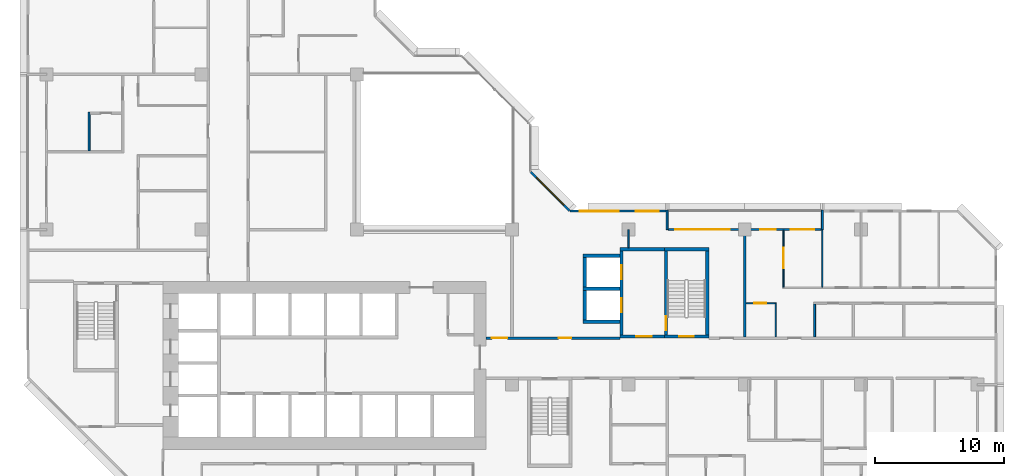
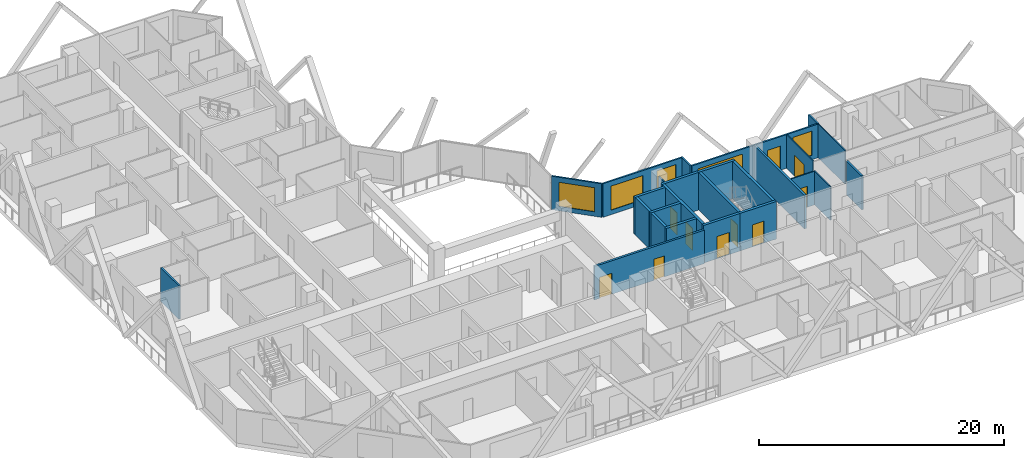
# One storey, part 7 of 14: 26 walls, 10 doors, 5 windows, 15 openings.
"""IFC4 building model written with IfcOpenShell, lengths in metres."""

from ifc_helpers import new_model, si_unit, direction, frame, frame_2d, origin, place, context, subcontext, project, spatial, rectangle, extrude, material, layer, layer_set, type_object, element, fill, save


model = new_model("IFC4")

# Units and contexts
model_context = context("Model", 3, precision=1e-05, world=origin(), true_north=direction((0.0, 1.0)))
body_context = subcontext(model_context, "Body", "Model", "MODEL_VIEW")
ifc_project = project(units=[si_unit("LENGTHUNIT", "METRE"), si_unit("AREAUNIT", "SQUARE_METRE"), si_unit("VOLUMEUNIT", "CUBIC_METRE"), si_unit("PLANEANGLEUNIT", "RADIAN"), si_unit("MASSUNIT", "GRAM", prefix="KILO")], contexts=[model_context])

# Site, building, storey
site_placement = place(None, origin())
site = spatial("IfcSite", under=ifc_project, at=site_placement, CompositionType="ELEMENT")
building_placement = place(site_placement, origin())
building = spatial("IfcBuilding", under=site, at=building_placement, Name="Chenar Terraces", CompositionType="ELEMENT")
storey_placement = place(building_placement, frame((0.0, 0.0, 91.89990234375)))
storey = spatial("IfcBuildingStorey", under=building, at=storey_placement, Name="L20", CompositionType="ELEMENT", Elevation=91.89990234375)

# Wall, opening, door
ifc_material_1 = material(Name="Concrete C70/85", Category="concrete")
ifc_layer_1 = layer(ifc_material_1, 0.25)
ifc_layer_set_1 = layer_set([ifc_layer_1], Name="Concrete C70/85")
wall_type_1 = type_object("IfcWallType", Name="Core wall 250 Concrete C70/85", PredefinedType="SHEAR", material=ifc_layer_set_1)
wall_1_placement = place(storey_placement, frame((47.77490234375, 15.72509765625, 0.0), z_axis=(0.0, 0.0, 1.0), x_axis=(1.0, 0.0, 0.0)))
wall_1 = element("IfcWall", 1, at=wall_1_placement, inside=storey, type_object=wall_type_1, Name="Core wall ST3_S L20", PredefinedType="SHEAR", context=body_context, shape_type="SweptSolid", body=[
    extrude(rectangle(XDim=3.4501953125, YDim=0.25, at=frame_2d((1.72509765625, 0.0))), origin(), (0.0, 0.0, 1.0), 3.75),
])
opening_1_placement = place(wall_1_placement, frame((1.175048828125, 0.0, 0.0)))
opening_1 = element("IfcOpeningElement", 2, at=opening_1_placement, cuts=wall_1, Name="Opening DL20-C8", PredefinedType="OPENING", context=body_context, shape_type="SweptSolid", body=[
    extrude(rectangle(XDim=1.10009765625, YDim=2.199951171875, at=frame_2d((0.550048828125, 1.10009765625))), frame((0.0, 0.135009765625, 0.0), z_axis=(0.0, -1.0, 0.0), x_axis=(1.0, 0.0, 0.0)), (0.0, 0.0, 1.0), 0.27001953125),
])
ifc_material_2 = material(Name="Steel-framed fire-resisting door leaf", Category="steel")
door_type_1 = type_object("IfcDoorType", Name="Stair fire door FD60 1100 x 2200", OperationType="SINGLE_SWING_LEFT", PredefinedType="DOOR", material=ifc_material_2)
door_1_placement = place(opening_1_placement, frame((1.10009765625, 0.0, 0.0), z_axis=(0.0, 0.0, 1.0), x_axis=(-1.0, 0.0, 0.0)))
door_1 = element("IfcDoor", 3, at=door_1_placement, inside=storey, type_object=door_type_1, Name="Stair door DL20-C8", OperationType="SINGLE_SWING_LEFT", OverallHeight=2.199951171875, OverallWidth=1.10009765625, PredefinedType="DOOR", context=body_context, shape_type="SweptSolid", body=[
    extrude(rectangle(XDim=1.10009765625, YDim=2.199951171875, at=frame_2d((0.550048828125, 1.10009765625))), frame((0.0, 0.02490234375, 0.0), z_axis=(0.0, -1.0, 0.0), x_axis=(1.0, 0.0, 0.0)), (0.0, 0.0, 1.0), 0.050048828125),
])
fill(opening_1, door_1)

# Wall
wall_2_placement = place(storey_placement, frame((47.77490234375, 22.47509765625, 0.0), z_axis=(0.0, 0.0, 1.0), x_axis=(1.0, 0.0, 0.0)))
element("IfcWall", 4, at=wall_2_placement, inside=storey, type_object=wall_type_1, Name="Core wall ST3_N L20", PredefinedType="SHEAR", context=body_context, shape_type="SweptSolid", body=[
    extrude(rectangle(XDim=3.4501953125, YDim=0.25, at=frame_2d((1.72509765625, 0.0))), origin(), (0.0, 0.0, 1.0), 3.75),
])

# Wall, opening, door
wall_3_placement = place(storey_placement, frame((47.89990234375, 15.85009765625, 0.0), z_axis=(0.0, 0.0, 1.0), x_axis=(0.0, 1.0, 0.0)))
wall_3 = element("IfcWall", 5, at=wall_3_placement, inside=storey, type_object=wall_type_1, Name="Core wall ST3_W L20", PredefinedType="SHEAR", context=body_context, shape_type="SweptSolid", body=[
    extrude(rectangle(XDim=6.5, YDim=0.25, at=frame_2d((3.25, 0.0))), origin(), (0.0, 0.0, 1.0), 3.75),
])
opening_2_placement = place(wall_3_placement, frame((0.35009765625, 0.0, 0.0)))
opening_2 = element("IfcOpeningElement", 6, at=opening_2_placement, cuts=wall_3, Name="Opening DL20-C11", PredefinedType="OPENING", context=body_context, shape_type="SweptSolid", body=[
    extrude(rectangle(XDim=1.10009765625, YDim=2.199951171875, at=frame_2d((0.550048828125, 1.10009765625))), frame((0.0, 0.135009765625, 0.0), z_axis=(0.0, -1.0, 0.0), x_axis=(1.0, 0.0, 0.0)), (0.0, 0.0, 1.0), 0.27001953125),
])
door_2_placement = place(opening_2_placement, frame((1.10009765625, 0.0, 0.0), z_axis=(0.0, 0.0, 1.0), x_axis=(-1.0, 0.0, 0.0)))
door_2 = element("IfcDoor", 7, at=door_2_placement, inside=storey, type_object=door_type_1, Name="Stair door DL20-C11", OperationType="SINGLE_SWING_RIGHT", OverallHeight=2.199951171875, OverallWidth=1.10009765625, PredefinedType="DOOR", context=body_context, shape_type="SweptSolid", body=[
    extrude(rectangle(XDim=1.10009765625, YDim=2.199951171875, at=frame_2d((0.550048828125, 1.10009765625))), frame((0.0, 0.02490234375, 0.0), z_axis=(0.0, -1.0, 0.0), x_axis=(1.0, 0.0, 0.0)), (0.0, 0.0, 1.0), 0.050048828125),
])
fill(opening_2, door_2)

# Wall
wall_4_placement = place(storey_placement, frame((51.10009765625, 15.85009765625, 0.0), z_axis=(0.0, 0.0, 1.0), x_axis=(0.0, 1.0, 0.0)))
element("IfcWall", 8, at=wall_4_placement, inside=storey, type_object=wall_type_1, Name="Core wall ST3_E L20", PredefinedType="SHEAR", context=body_context, shape_type="SweptSolid", body=[
    extrude(rectangle(XDim=6.5, YDim=0.25, at=frame_2d((3.25, 0.0))), origin(), (0.0, 0.0, 1.0), 3.75),
])

# Wall, opening, door
wall_5_placement = place(storey_placement, frame((44.35009765625, 15.72509765625, 0.0), z_axis=(0.0, 0.0, 1.0), x_axis=(1.0, 0.0, 0.0)))
wall_5 = element("IfcWall", 9, at=wall_5_placement, inside=storey, type_object=wall_type_1, Name="Core wall F3_LS L20", PredefinedType="SHEAR", context=body_context, shape_type="SweptSolid", body=[
    extrude(rectangle(XDim=3.4248046875, YDim=0.25, at=frame_2d((1.71240234375, 0.0))), origin(), (0.0, 0.0, 1.0), 3.75),
])
opening_3_placement = place(wall_5_placement, frame((1.25, 0.0, 0.0)))
opening_3 = element("IfcOpeningElement", 10, at=opening_3_placement, cuts=wall_5, Name="Opening DL20-C10", PredefinedType="OPENING", context=body_context, shape_type="SweptSolid", body=[
    extrude(rectangle(XDim=1.199951171875, YDim=2.199951171875, at=frame_2d((0.60009765625, 1.10009765625))), frame((0.0, 0.135009765625, 0.0), z_axis=(0.0, -1.0, 0.0), x_axis=(1.0, 0.0, 0.0)), (0.0, 0.0, 1.0), 0.27001953125),
])
ifc_material_3 = material(Name="Steel-framed fire-resisting door leaf", Category="steel")
door_type_2 = type_object("IfcDoorType", Name="Lobby fire door FD60 1200 x 2200", OperationType="SINGLE_SWING_LEFT", PredefinedType="DOOR", material=ifc_material_3)
door_3_placement = place(opening_3_placement, origin())
door_3 = element("IfcDoor", 11, at=door_3_placement, inside=storey, type_object=door_type_2, Name="Core door DL20-C10", OperationType="SINGLE_SWING_RIGHT", OverallHeight=2.199951171875, OverallWidth=1.199951171875, PredefinedType="DOOR", context=body_context, shape_type="SweptSolid", body=[
    extrude(rectangle(XDim=1.199951171875, YDim=2.199951171875, at=frame_2d((0.60009765625, 1.10009765625))), frame((0.0, 0.02490234375, 0.0), z_axis=(0.0, -1.0, 0.0), x_axis=(1.0, 0.0, 0.0)), (0.0, 0.0, 1.0), 0.050048828125),
])
fill(opening_3, door_3)

# Wall
wall_6_placement = place(storey_placement, frame((44.35009765625, 22.47509765625, 0.0), z_axis=(0.0, 0.0, 1.0), x_axis=(1.0, 0.0, 0.0)))
element("IfcWall", 12, at=wall_6_placement, inside=storey, type_object=wall_type_1, Name="Core wall F3_LN L20", PredefinedType="SHEAR", context=body_context, shape_type="SweptSolid", body=[
    extrude(rectangle(XDim=3.4248046875, YDim=0.25, at=frame_2d((1.71240234375, 0.0))), origin(), (0.0, 0.0, 1.0), 3.75),
])

# Wall, openings, doors
wall_7_placement = place(storey_placement, frame((44.47509765625, 15.85009765625, 0.0), z_axis=(0.0, 0.0, 1.0), x_axis=(0.0, 1.0, 0.0)))
wall_7 = element("IfcWall", 13, at=wall_7_placement, inside=storey, type_object=wall_type_1, Name="Core wall F3_LW L20", PredefinedType="SHEAR", context=body_context, shape_type="SweptSolid", body=[
    extrude(rectangle(XDim=6.5, YDim=0.25, at=frame_2d((3.25, 0.0))), origin(), (0.0, 0.0, 1.0), 3.75),
])
opening_4_placement = place(wall_7_placement, frame((1.75, 0.0, 0.0)))
opening_4 = element("IfcOpeningElement", 14, at=opening_4_placement, cuts=wall_7, Name="Opening DL20-LD8", PredefinedType="OPENING", context=body_context, shape_type="SweptSolid", body=[
    extrude(rectangle(XDim=1.10009765625, YDim=2.199951171875, at=frame_2d((0.550048828125, 1.10009765625))), frame((0.0, 0.135009765625, 0.0), z_axis=(0.0, -1.0, 0.0), x_axis=(1.0, 0.0, 0.0)), (0.0, 0.0, 1.0), 0.27001953125),
])
opening_5_placement = place(wall_7_placement, frame((4.300048828125, 0.0, 0.0)))
opening_5 = element("IfcOpeningElement", 15, at=opening_5_placement, cuts=wall_7, Name="Opening DL20-LD9", PredefinedType="OPENING", context=body_context, shape_type="SweptSolid", body=[
    extrude(rectangle(XDim=1.10009765625, YDim=2.199951171875, at=frame_2d((0.550048828125, 1.10009765625))), frame((0.0, 0.135009765625, 0.0), z_axis=(0.0, -1.0, 0.0), x_axis=(1.0, 0.0, 0.0)), (0.0, 0.0, 1.0), 0.27001953125),
])
ifc_material_4 = material(Name="Stainless steel", Category="steel")
door_type_3 = type_object("IfcDoorType", Name="Lift landing door 1100 x 2200 sliding", OperationType="DOUBLE_DOOR_SLIDING", PredefinedType="DOOR", material=ifc_material_4)
door_4_placement = place(opening_4_placement, origin())
door_4 = element("IfcDoor", 16, at=door_4_placement, inside=storey, type_object=door_type_3, Name="Landing door F3", OperationType="DOUBLE_DOOR_SLIDING", OverallHeight=2.199951171875, OverallWidth=1.10009765625, PredefinedType="DOOR", context=body_context, shape_type="SweptSolid", body=[
    extrude(rectangle(XDim=1.10009765625, YDim=2.199951171875, at=frame_2d((0.550048828125, 1.10009765625))), frame((0.0, 0.02490234375, 0.0), z_axis=(0.0, -1.0, 0.0), x_axis=(1.0, 0.0, 0.0)), (0.0, 0.0, 1.0), 0.050048828125),
])
fill(opening_4, door_4)
door_5_placement = place(opening_5_placement, origin())
door_5 = element("IfcDoor", 17, at=door_5_placement, inside=storey, type_object=door_type_3, Name="Landing door F4", OperationType="DOUBLE_DOOR_SLIDING", OverallHeight=2.199951171875, OverallWidth=1.10009765625, PredefinedType="DOOR", context=body_context, shape_type="SweptSolid", body=[
    extrude(rectangle(XDim=1.10009765625, YDim=2.199951171875, at=frame_2d((0.550048828125, 1.10009765625))), frame((0.0, 0.02490234375, 0.0), z_axis=(0.0, -1.0, 0.0), x_axis=(1.0, 0.0, 0.0)), (0.0, 0.0, 1.0), 0.050048828125),
])
fill(opening_5, door_5)

# Walls
for number, where, z_axis, x_axis, name in (
    (18, (41.5, 16.875, 0.0), (0.0, 0.0, 1.0), (1.0, 0.0, 0.0), "Core wall F3_SS L20"),
    (19, (41.5, 19.425048828125, 0.0), (0.0, 0.0, 1.0), (1.0, 0.0, 0.0), "Core wall F3_SM L20"),
    (20, (41.5, 21.97509765625, 0.0), (0.0, 0.0, 1.0), (1.0, 0.0, 0.0), "Core wall F4_SN L20"),
):
    element("IfcWall", number, at=place(storey_placement, frame(where, z_axis=z_axis, x_axis=x_axis)), inside=storey, type_object=wall_type_1, Name=name, PredefinedType="SHEAR", context=body_context, shape_type="SweptSolid", body=[
        extrude(rectangle(XDim=2.85009765625, YDim=0.25, at=frame_2d((1.425048828125, 0.0))), origin(), (0.0, 0.0, 1.0), 3.75),
    ])
for number, where, z_axis, x_axis, name in (
    (21, (41.625, 17.0, 0.0), (0.0, 0.0, 1.0), (0.0, 1.0, 0.0), "Core wall F3_SW L20"),
    (22, (41.625, 19.550048828125, 0.0), (0.0, 0.0, 1.0), (0.0, 1.0, 0.0), "Core wall F4_SW L20"),
):
    element("IfcWall", number, at=place(storey_placement, frame(where, z_axis=z_axis, x_axis=x_axis)), inside=storey, type_object=wall_type_1, Name=name, PredefinedType="SHEAR", context=body_context, shape_type="SweptSolid", body=[
        extrude(rectangle(XDim=2.300048828125, YDim=0.25, at=frame_2d((1.14990234375, 0.0))), origin(), (0.0, 0.0, 1.0), 3.75),
    ])

# Wall, openings, doors
ifc_material_5 = material(Name="Gypsum board on steel studs with fire boards", Category="steel")
ifc_layer_2 = layer(ifc_material_5, 0.199951171875)
ifc_layer_set_2 = layer_set([ifc_layer_2], Name="Gypsum board on steel studs with fire boards")
wall_type_2 = type_object("IfcWallType", Name="Corridor wall 200", PredefinedType="PARTITIONING", material=ifc_layer_set_2)
wall_8_placement = place(storey_placement, frame((34.0, 15.60009765625, 0.0), z_axis=(0.0, 0.0, 1.0), x_axis=(1.0, 0.0, 0.0)))
wall_8 = element("IfcWall", 23, at=wall_8_placement, inside=storey, type_object=wall_type_2, Name="Partition L20-068", PredefinedType="PARTITIONING", context=body_context, shape_type="SweptSolid", body=[
    extrude(rectangle(XDim=10.35009765625, YDim=0.199951171875, at=frame_2d((5.175048828125, 0.0))), origin(), (0.0, 0.0, 1.0), 3.35009765625),
])
opening_6_placement = place(wall_8_placement, frame((5.60009765625, 0.0, 0.0)))
opening_6 = element("IfcOpeningElement", 24, at=opening_6_placement, cuts=wall_8, Name="Opening DL20-3", PredefinedType="OPENING", context=body_context, shape_type="SweptSolid", body=[
    extrude(rectangle(XDim=1.0, YDim=2.10009765625, at=frame_2d((0.5, 1.050048828125))), frame((0.0, 0.10986328125, 0.0), z_axis=(0.0, -1.0, 0.0), x_axis=(1.0, 0.0, 0.0)), (0.0, 0.0, 1.0), 0.219970703125),
])
opening_7_placement = place(wall_8_placement, frame((0.449951171875, 0.0, 0.0)))
opening_7 = element("IfcOpeningElement", 25, at=opening_7_placement, cuts=wall_8, Name="Opening DL20-49", PredefinedType="OPENING", context=body_context, shape_type="SweptSolid", body=[
    extrude(rectangle(XDim=1.199951171875, YDim=2.10009765625, at=frame_2d((0.60009765625, 1.050048828125))), frame((0.0, 0.10986328125, 0.0), z_axis=(0.0, -1.0, 0.0), x_axis=(1.0, 0.0, 0.0)), (0.0, 0.0, 1.0), 0.219970703125),
])
ifc_material_6 = material(Name="Steel-framed fire-resisting door leaf", Category="steel")
door_type_4 = type_object("IfcDoorType", Name="Fire door FD60 1000 x 2100", OperationType="SINGLE_SWING_LEFT", PredefinedType="DOOR", material=ifc_material_6)
door_6_placement = place(opening_6_placement, origin())
door_6 = element("IfcDoor", 26, at=door_6_placement, inside=storey, type_object=door_type_4, Name="Door DL20-3", OperationType="SINGLE_SWING_RIGHT", OverallHeight=2.10009765625, OverallWidth=1.0, PredefinedType="DOOR", context=body_context, shape_type="SweptSolid", body=[
    extrude(rectangle(XDim=1.0, YDim=2.10009765625, at=frame_2d((0.5, 1.050048828125))), frame((0.0, 0.02490234375, 0.0), z_axis=(0.0, -1.0, 0.0), x_axis=(1.0, 0.0, 0.0)), (0.0, 0.0, 1.0), 0.050048828125),
])
fill(opening_6, door_6)
ifc_material_7 = material(Name="Steel-framed fire-resisting door leaf", Category="steel")
door_type_5 = type_object("IfcDoorType", Name="Fire door FD60 1200 x 2100", OperationType="SINGLE_SWING_LEFT", PredefinedType="DOOR", material=ifc_material_7)
door_7_placement = place(opening_7_placement, origin())
door_7 = element("IfcDoor", 27, at=door_7_placement, inside=storey, type_object=door_type_5, Name="Door DL20-49", OperationType="SINGLE_SWING_RIGHT", OverallHeight=2.10009765625, OverallWidth=1.199951171875, PredefinedType="DOOR", context=body_context, shape_type="SweptSolid", body=[
    extrude(rectangle(XDim=1.199951171875, YDim=2.10009765625, at=frame_2d((0.60009765625, 1.050048828125))), frame((0.0, 0.02490234375, 0.0), z_axis=(0.0, -1.0, 0.0), x_axis=(1.0, 0.0, 0.0)), (0.0, 0.0, 1.0), 0.050048828125),
])
fill(opening_7, door_7)

# Wall, openings, windows
ifc_material_8 = material(Name="Aluminium framed glazing", Category="aluminium")
ifc_layer_3 = layer(ifc_material_8, 0.14990234375)
ifc_layer_set_3 = layer_set([ifc_layer_3], Name="Aluminium framed glazing")
wall_type_3 = type_object("IfcWallType", Name="Glazed flush facade wall 150", PredefinedType="SOLIDWALL", material=ifc_layer_set_3)
wall_9_placement = place(storey_placement, frame((47.925048828125, 25.425048828125, 0.0), z_axis=(0.0, 0.0, 1.0), x_axis=(-1.0, 0.0, 0.0)))
wall_9 = element("IfcWall", 28, at=wall_9_placement, inside=storey, type_object=wall_type_3, Name="Glazed flush facade wall", PredefinedType="SOLIDWALL", context=body_context, shape_type="SweptSolid", body=[
    extrude(rectangle(XDim=7.425048828125, YDim=0.14990234375, at=frame_2d((3.71240234375, 0.0))), origin(), (0.0, 0.0, 1.0), 3.35009765625),
])
opening_8_placement = place(wall_9_placement, frame((0.5625, 0.0, 0.449951171875)))
opening_8 = element("IfcOpeningElement", 29, at=opening_8_placement, cuts=wall_9, Name="Opening W180x240", PredefinedType="OPENING", context=body_context, shape_type="SweptSolid", body=[
    extrude(rectangle(XDim=1.800048828125, YDim=2.39990234375, at=frame_2d((0.89990234375, 1.199951171875))), frame((0.0, 0.0849609375, 0.0), z_axis=(0.0, -1.0, 0.0), x_axis=(1.0, 0.0, 0.0)), (0.0, 0.0, 1.0), 0.169921875),
])
opening_9_placement = place(wall_9_placement, frame((3.675048828125, 0.0, 0.449951171875)))
opening_9 = element("IfcOpeningElement", 30, at=opening_9_placement, cuts=wall_9, Name="Opening W300x240", PredefinedType="OPENING", context=body_context, shape_type="SweptSolid", body=[
    extrude(rectangle(XDim=3.0, YDim=2.39990234375, at=frame_2d((1.5, 1.199951171875))), frame((0.0, 0.0849609375, 0.0), z_axis=(0.0, -1.0, 0.0), x_axis=(1.0, 0.0, 0.0)), (0.0, 0.0, 1.0), 0.169921875),
])
ifc_material_9 = material(Name="Low emissivity double glazing, aluminium frame", Category="aluminium")
window_type_1 = type_object("IfcWindowType", Name="Fixed light 1800 x 2400", PartitioningType="SINGLE_PANEL", PredefinedType="WINDOW", material=ifc_material_9)
window_1_placement = place(opening_8_placement, origin())
window_1 = element("IfcWindow", 31, at=window_1_placement, inside=storey, type_object=window_type_1, Name="Window", OverallHeight=2.39990234375, OverallWidth=1.800048828125, PartitioningType="SINGLE_PANEL", PredefinedType="WINDOW", context=body_context, shape_type="SweptSolid", body=[
    extrude(rectangle(XDim=1.800048828125, YDim=2.39990234375, at=frame_2d((0.89990234375, 1.199951171875))), frame((0.0, 0.030029296875, 0.0), z_axis=(0.0, -1.0, 0.0), x_axis=(1.0, 0.0, 0.0)), (0.0, 0.0, 1.0), 0.06005859375),
])
fill(opening_8, window_1)
ifc_material_10 = material(Name="Low emissivity double glazing, aluminium frame", Category="aluminium")
window_type_2 = type_object("IfcWindowType", Name="Fixed light 3000 x 2400", PartitioningType="SINGLE_PANEL", PredefinedType="WINDOW", material=ifc_material_10)
window_2_placement = place(opening_9_placement, origin())
window_2 = element("IfcWindow", 32, at=window_2_placement, inside=storey, type_object=window_type_2, Name="Window", OverallHeight=2.39990234375, OverallWidth=3.0, PartitioningType="SINGLE_PANEL", PredefinedType="WINDOW", context=body_context, shape_type="SweptSolid", body=[
    extrude(rectangle(XDim=3.0, YDim=2.39990234375, at=frame_2d((1.5, 1.199951171875))), frame((0.0, 0.030029296875, 0.0), z_axis=(0.0, -1.0, 0.0), x_axis=(1.0, 0.0, 0.0)), (0.0, 0.0, 1.0), 0.06005859375),
])
fill(opening_9, window_2)

# Wall, openings, windows, door
ifc_material_11 = material(Name="Aluminium framed glazing", Category="aluminium")
ifc_layer_4 = layer(ifc_material_11, 0.14990234375)
ifc_layer_set_4 = layer_set([ifc_layer_4], Name="Aluminium framed glazing")
wall_type_4 = type_object("IfcWallType", Name="Glazed loggia back wall 150", PredefinedType="SOLIDWALL", material=ifc_layer_set_4)
wall_10_placement = place(storey_placement, frame((59.925048828125, 24.0, 0.0), z_axis=(0.0, 0.0, 1.0), x_axis=(-1.0, 0.0, 0.0)))
wall_10 = element("IfcWall", 33, at=wall_10_placement, inside=storey, type_object=wall_type_4, Name="Glazed loggia back wall", PredefinedType="SOLIDWALL", context=body_context, shape_type="SweptSolid", body=[
    extrude(rectangle(XDim=11.85009765625, YDim=0.14990234375, at=frame_2d((5.925048828125, 0.0))), origin(), (0.0, 0.0, 1.0), 3.35009765625),
])
opening_10_placement = place(wall_10_placement, frame((0.5625, 0.0, 0.449951171875)))
opening_10 = element("IfcOpeningElement", 34, at=opening_10_placement, cuts=wall_10, Name="Opening W180x240", PredefinedType="OPENING", context=body_context, shape_type="SweptSolid", body=[
    extrude(rectangle(XDim=1.800048828125, YDim=2.39990234375, at=frame_2d((0.89990234375, 1.199951171875))), frame((0.0, 0.0849609375, 0.0), z_axis=(0.0, -1.0, 0.0), x_axis=(1.0, 0.0, 0.0)), (0.0, 0.0, 1.0), 0.169921875),
])
opening_11_placement = place(wall_10_placement, frame((3.52490234375, 0.0, 0.0)))
opening_11 = element("IfcOpeningElement", 35, at=opening_11_placement, cuts=wall_10, Name="Opening DL20-G1", PredefinedType="OPENING", context=body_context, shape_type="SweptSolid", body=[
    extrude(rectangle(XDim=1.199951171875, YDim=2.39990234375, at=frame_2d((0.60009765625, 1.199951171875))), frame((0.0, 0.0849609375, 0.0), z_axis=(0.0, -1.0, 0.0), x_axis=(1.0, 0.0, 0.0)), (0.0, 0.0, 1.0), 0.169921875),
])
opening_12_placement = place(wall_10_placement, frame((7.08740234375, 0.0, 0.449951171875)))
opening_12 = element("IfcOpeningElement", 36, at=opening_12_placement, cuts=wall_10, Name="Opening W420x240", PredefinedType="OPENING", context=body_context, shape_type="SweptSolid", body=[
    extrude(rectangle(XDim=4.199951171875, YDim=2.39990234375, at=frame_2d((2.10009765625, 1.199951171875))), frame((0.0, 0.0849609375, 0.0), z_axis=(0.0, -1.0, 0.0), x_axis=(1.0, 0.0, 0.0)), (0.0, 0.0, 1.0), 0.169921875),
])
window_3_placement = place(opening_10_placement, origin())
window_3 = element("IfcWindow", 37, at=window_3_placement, inside=storey, type_object=window_type_1, Name="Window", OverallHeight=2.39990234375, OverallWidth=1.800048828125, PartitioningType="SINGLE_PANEL", PredefinedType="WINDOW", context=body_context, shape_type="SweptSolid", body=[
    extrude(rectangle(XDim=1.800048828125, YDim=2.39990234375, at=frame_2d((0.89990234375, 1.199951171875))), frame((0.0, 0.030029296875, 0.0), z_axis=(0.0, -1.0, 0.0), x_axis=(1.0, 0.0, 0.0)), (0.0, 0.0, 1.0), 0.06005859375),
])
fill(opening_10, window_3)
ifc_material_12 = material(Name="Low emissivity double glazing, aluminium frame", Category="aluminium")
window_type_3 = type_object("IfcWindowType", Name="Fixed light 4200 x 2400", PartitioningType="SINGLE_PANEL", PredefinedType="WINDOW", material=ifc_material_12)
window_4_placement = place(opening_12_placement, origin())
window_4 = element("IfcWindow", 38, at=window_4_placement, inside=storey, type_object=window_type_3, Name="Window", OverallHeight=2.39990234375, OverallWidth=4.199951171875, PartitioningType="SINGLE_PANEL", PredefinedType="WINDOW", context=body_context, shape_type="SweptSolid", body=[
    extrude(rectangle(XDim=4.199951171875, YDim=2.39990234375, at=frame_2d((2.10009765625, 1.199951171875))), frame((0.0, 0.030029296875, 0.0), z_axis=(0.0, -1.0, 0.0), x_axis=(1.0, 0.0, 0.0)), (0.0, 0.0, 1.0), 0.06005859375),
])
fill(opening_12, window_4)
ifc_material_13 = material(Name="Low emissivity double glazing, aluminium frame", Category="aluminium")
door_type_6 = type_object("IfcDoorType", Name="Loggia glazed double door 1200 x 2400", OperationType="DOUBLE_DOOR_SINGLE_SWING", PredefinedType="DOOR", material=ifc_material_13)
door_8_placement = place(opening_11_placement, frame((1.199951171875, 0.0, 0.0), z_axis=(0.0, 0.0, 1.0), x_axis=(-1.0, 0.0, 0.0)))
door_8 = element("IfcDoor", 39, at=door_8_placement, inside=storey, type_object=door_type_6, Name="Loggia glazed door", OperationType="DOUBLE_DOOR_SINGLE_SWING", OverallHeight=2.39990234375, OverallWidth=1.199951171875, PredefinedType="DOOR", context=body_context, shape_type="SweptSolid", body=[
    extrude(rectangle(XDim=1.199951171875, YDim=2.39990234375, at=frame_2d((0.60009765625, 1.199951171875))), frame((0.0, 0.02490234375, 0.0), z_axis=(0.0, -1.0, 0.0), x_axis=(1.0, 0.0, 0.0)), (0.0, 0.0, 1.0), 0.050048828125),
])
fill(opening_11, door_8)

# Wall
ifc_material_14 = material(Name="Gypsum board on steel studs", Category="steel")
ifc_layer_5 = layer(ifc_material_14, 0.10009765625)
ifc_layer_set_5 = layer_set([ifc_layer_5], Name="Gypsum board on steel studs")
wall_type_5 = type_object("IfcWallType", Name="Gypsum partition 100", PredefinedType="PARTITIONING", material=ifc_layer_set_5)
wall_11_placement = place(storey_placement, frame((45.0, 22.60009765625, 0.0), z_axis=(0.0, 0.0, 1.0), x_axis=(0.0, 1.0, 0.0)))
element("IfcWall", 40, at=wall_11_placement, inside=storey, type_object=wall_type_5, Name="Partition L20-076", PredefinedType="PARTITIONING", context=body_context, shape_type="SweptSolid", body=[
    extrude(rectangle(XDim=1.39990234375, YDim=0.10009765625, at=frame_2d((0.699951171875, 0.0))), origin(), (0.0, 0.0, 1.0), 3.35009765625),
])

# Wall, opening, door
wall_12_placement = place(storey_placement, frame((54.10009765625, 18.300048828125, 0.0), z_axis=(0.0, 0.0, 1.0), x_axis=(1.0, 0.0, 0.0)))
wall_12 = element("IfcWall", 41, at=wall_12_placement, inside=storey, type_object=wall_type_5, Name="Partition L20-084", PredefinedType="PARTITIONING", context=body_context, shape_type="SweptSolid", body=[
    extrude(rectangle(XDim=2.25, YDim=0.10009765625, at=frame_2d((1.125, 0.0))), origin(), (0.0, 0.0, 1.0), 3.35009765625),
])
opening_13_placement = place(wall_12_placement, frame((0.64990234375, 0.0, 0.0)))
opening_13 = element("IfcOpeningElement", 42, at=opening_13_placement, cuts=wall_12, Name="Opening DL20-11", PredefinedType="OPENING", context=body_context, shape_type="SweptSolid", body=[
    extrude(rectangle(XDim=0.89990234375, YDim=2.10009765625, at=frame_2d((0.449951171875, 1.050048828125))), frame((0.0, 0.06005859375, 0.0), z_axis=(0.0, -1.0, 0.0), x_axis=(1.0, 0.0, 0.0)), (0.0, 0.0, 1.0), 0.1201171875),
])
ifc_material_15 = material(Name="Veneered timber door leaf", Category="wood")
door_type_7 = type_object("IfcDoorType", Name="Door 900 x 2100", OperationType="SINGLE_SWING_LEFT", PredefinedType="DOOR", material=ifc_material_15)
door_9_placement = place(opening_13_placement, frame((0.89990234375, 0.0, 0.0), z_axis=(0.0, 0.0, 1.0), x_axis=(-1.0, 0.0, 0.0)))
door_9 = element("IfcDoor", 43, at=door_9_placement, inside=storey, type_object=door_type_7, Name="Door DL20-11", OperationType="SINGLE_SWING_RIGHT", OverallHeight=2.10009765625, OverallWidth=0.89990234375, PredefinedType="DOOR", context=body_context, shape_type="SweptSolid", body=[
    extrude(rectangle(XDim=0.89990234375, YDim=2.10009765625, at=frame_2d((0.449951171875, 1.050048828125))), frame((0.0, 0.02490234375, 0.0), z_axis=(0.0, -1.0, 0.0), x_axis=(1.0, 0.0, 0.0)), (0.0, 0.0, 1.0), 0.050048828125),
])
fill(opening_13, door_9)

# Wall
wall_13_placement = place(storey_placement, frame((56.39990234375, 15.699951171875, 0.0), z_axis=(0.0, 0.0, 1.0), x_axis=(0.0, 1.0, 0.0)))
element("IfcWall", 44, at=wall_13_placement, inside=storey, type_object=wall_type_5, Name="Partition L20-088", PredefinedType="PARTITIONING", context=body_context, shape_type="SweptSolid", body=[
    extrude(rectangle(XDim=2.650146484375, YDim=0.10009765625, at=frame_2d((1.3251953125, 0.0))), origin(), (0.0, 0.0, 1.0), 3.35009765625),
])

# Wall, opening, door
wall_14_placement = place(storey_placement, frame((57.0, 19.550048828125, 0.0), z_axis=(0.0, 0.0, 1.0), x_axis=(0.0, 1.0, 0.0)))
wall_14 = element("IfcWall", 45, at=wall_14_placement, inside=storey, type_object=wall_type_5, Name="Partition L20-090", PredefinedType="PARTITIONING", context=body_context, shape_type="SweptSolid", body=[
    extrude(rectangle(XDim=4.3759765625, YDim=0.10009765625, at=frame_2d((2.18798828125, 0.0))), origin(), (0.0, 0.0, 1.0), 3.35009765625),
])
opening_14_placement = place(wall_14_placement, frame((1.449951171875, 0.0, 0.0)))
opening_14 = element("IfcOpeningElement", 46, at=opening_14_placement, cuts=wall_14, Name="Opening DL20-10", PredefinedType="OPENING", context=body_context, shape_type="SweptSolid", body=[
    extrude(rectangle(XDim=1.60009765625, YDim=2.10009765625, at=frame_2d((0.800048828125, 1.050048828125))), frame((0.0, 0.06005859375, 0.0), z_axis=(0.0, -1.0, 0.0), x_axis=(1.0, 0.0, 0.0)), (0.0, 0.0, 1.0), 0.1201171875),
])
ifc_material_16 = material(Name="Veneered timber door leaf", Category="wood")
door_type_8 = type_object("IfcDoorType", Name="Double door 1600 x 2100", OperationType="DOUBLE_DOOR_SINGLE_SWING", PredefinedType="DOOR", material=ifc_material_16)
door_10_placement = place(opening_14_placement, frame((1.60009765625, 0.0, 0.0), z_axis=(0.0, 0.0, 1.0), x_axis=(-1.0, 0.0, 0.0)))
door_10 = element("IfcDoor", 47, at=door_10_placement, inside=storey, type_object=door_type_8, Name="Door DL20-10", OperationType="DOUBLE_DOOR_SINGLE_SWING", OverallHeight=2.10009765625, OverallWidth=1.60009765625, PredefinedType="DOOR", context=body_context, shape_type="SweptSolid", body=[
    extrude(rectangle(XDim=1.60009765625, YDim=2.10009765625, at=frame_2d((0.800048828125, 1.050048828125))), frame((0.0, 0.02490234375, 0.0), z_axis=(0.0, -1.0, 0.0), x_axis=(1.0, 0.0, 0.0)), (0.0, 0.0, 1.0), 0.050048828125),
])
fill(opening_14, door_10)

# Walls
wall_15_placement = place(storey_placement, frame((60.0, 19.550048828125, 0.0), z_axis=(0.0, 0.0, 1.0), x_axis=(0.0, 1.0, 0.0)))
element("IfcWall", 48, at=wall_15_placement, inside=storey, type_object=wall_type_5, Name="Partition L20-094", PredefinedType="PARTITIONING", context=body_context, shape_type="SweptSolid", body=[
    extrude(rectangle(XDim=4.449951171875, YDim=0.10009765625, at=frame_2d((2.22509765625, 0.0))), origin(), (0.0, 0.0, 1.0), 3.35009765625),
])
ifc_material_17 = material(Name="Terracotta cladding on insulated backing", Category="masonry")
ifc_layer_6 = layer(ifc_material_17, 0.14990234375)
ifc_layer_set_6 = layer_set([ifc_layer_6], Name="Terracotta cladding on insulated backing")
wall_type_6 = type_object("IfcWallType", Name="Loggia return wall 150", PredefinedType="SOLIDWALL", material=ifc_layer_set_6)
for number, where, z_axis, x_axis, name in (
    (49, (60.0, 25.5, 0.0), (0.0, 0.0, 1.0), (0.0, -1.0, 0.0), "Loggia return wall"),
    (50, (48.0, 25.5, 0.0), (0.0, 0.0, 1.0), (0.0, -1.0, 0.0), "Loggia return wall"),
):
    element("IfcWall", number, at=place(storey_placement, frame(where, z_axis=z_axis, x_axis=x_axis)), inside=storey, type_object=wall_type_6, Name=name, PredefinedType="SOLIDWALL", context=body_context, shape_type="SweptSolid", body=[
        extrude(rectangle(XDim=1.5, YDim=0.14990234375, at=frame_2d((0.75, 0.0))), origin(), (0.0, 0.0, 1.0), 3.35009765625),
    ])

# Wall, opening, window
ifc_material_18 = material(Name="Terracotta cladding on insulated backing", Category="masonry")
ifc_layer_7 = layer(ifc_material_18, 0.14990234375)
ifc_layer_set_7 = layer_set([ifc_layer_7], Name="Terracotta cladding on insulated backing")
wall_type_7 = type_object("IfcWallType", Name="Terracotta rainscreen wall 150", PredefinedType="SOLIDWALL", material=ifc_layer_set_7)
wall_16_placement = place(storey_placement, frame((40.447021484375, 25.447021484375, 0.0), z_axis=(0.0, 0.0, 1.0), x_axis=(-0.707106781187, 0.707106781187, 0.0)))
wall_16 = element("IfcWall", 51, at=wall_16_placement, inside=storey, type_object=wall_type_7, Name="Terracotta rainscreen wall", PredefinedType="SOLIDWALL", context=body_context, shape_type="SweptSolid", body=[
    extrude(rectangle(XDim=4.24267578125, YDim=0.14990234375, at=frame_2d((2.121337890625, 0.0))), origin(), (0.0, 0.0, 1.0), 3.35009765625),
])
opening_15_placement = place(wall_16_placement, frame((0.621337890625, 0.0, 0.449951171875)))
opening_15 = element("IfcOpeningElement", 52, at=opening_15_placement, cuts=wall_16, Name="Opening W300x240", PredefinedType="OPENING", context=body_context, shape_type="SweptSolid", body=[
    extrude(rectangle(XDim=3.0, YDim=2.39990234375, at=frame_2d((1.5, 1.199951171875))), frame((0.0, 0.0849609375, 0.0), z_axis=(0.0, -1.0, 0.0), x_axis=(1.0, 0.0, 0.0)), (0.0, 0.0, 1.0), 0.169921875),
])
window_5_placement = place(opening_15_placement, origin())
window_5 = element("IfcWindow", 53, at=window_5_placement, inside=storey, type_object=window_type_2, Name="Window", OverallHeight=2.39990234375, OverallWidth=3.0, PartitioningType="SINGLE_PANEL", PredefinedType="WINDOW", context=body_context, shape_type="SweptSolid", body=[
    extrude(rectangle(XDim=3.0, YDim=2.39990234375, at=frame_2d((1.5, 1.199951171875))), frame((0.0, 0.030029296875, 0.0), z_axis=(0.0, -1.0, 0.0), x_axis=(1.0, 0.0, 0.0)), (0.0, 0.0, 1.0), 0.06005859375),
])
fill(opening_15, window_5)

# Walls
ifc_material_19 = material(Name="Twin gypsum board on steel studs with mineral wool", Category="steel")
ifc_layer_8 = layer(ifc_material_19, 0.199951171875)
ifc_layer_set_8 = layer_set([ifc_layer_8], Name="Twin gypsum board on steel studs with mineral wool")
wall_type_8 = type_object("IfcWallType", Name="Unit demising wall 200", PredefinedType="PARTITIONING", material=ifc_layer_set_8)
wall_17_placement = place(storey_placement, frame((54.0, 15.699951171875, 0.0), z_axis=(0.0, 0.0, 1.0), x_axis=(0.0, 1.0, 0.0)))
element("IfcWall", 54, at=wall_17_placement, inside=storey, type_object=wall_type_8, Name="Partition L20-083", PredefinedType="PARTITIONING", context=body_context, shape_type="SweptSolid", body=[
    extrude(rectangle(XDim=8.22607421875, YDim=0.199951171875, at=frame_2d((4.113037109375, 0.0))), origin(), (0.0, 0.0, 1.0), 3.35009765625),
])
ifc_material_20 = material(Name="Moisture-resistant gypsum board on steel studs", Category="steel")
ifc_layer_9 = layer(ifc_material_20, 0.14990234375)
ifc_layer_set_9 = layer_set([ifc_layer_9], Name="Moisture-resistant gypsum board on steel studs")
wall_type_9 = type_object("IfcWallType", Name="Wet-room partition 150", PredefinedType="PARTITIONING", material=ifc_layer_set_9)
wall_18_placement = place(storey_placement, frame((3.300048828125, 30.074951171875, 0.0), z_axis=(0.0, 0.0, 1.0), x_axis=(0.0, 1.0, 0.0)))
element("IfcWall", 55, at=wall_18_placement, inside=storey, type_object=wall_type_9, Name="Partition L20-011", PredefinedType="PARTITIONING", context=body_context, shape_type="SweptSolid", body=[
    extrude(rectangle(XDim=3.0, YDim=0.14990234375, at=frame_2d((1.5, 0.0))), origin(), (0.0, 0.0, 1.0), 3.35009765625),
])
wall_19_placement = place(storey_placement, frame((59.39990234375, 15.699951171875, 0.0), z_axis=(0.0, 0.0, 1.0), x_axis=(0.0, 1.0, 0.0)))
element("IfcWall", 56, at=wall_19_placement, inside=storey, type_object=wall_type_9, Name="Partition L20-092", PredefinedType="PARTITIONING", context=body_context, shape_type="SweptSolid", body=[
    extrude(rectangle(XDim=2.525146484375, YDim=0.14990234375, at=frame_2d((1.2626953125, 0.0))), origin(), (0.0, 0.0, 1.0), 3.35009765625),
])

save(model, "model.ifc")
